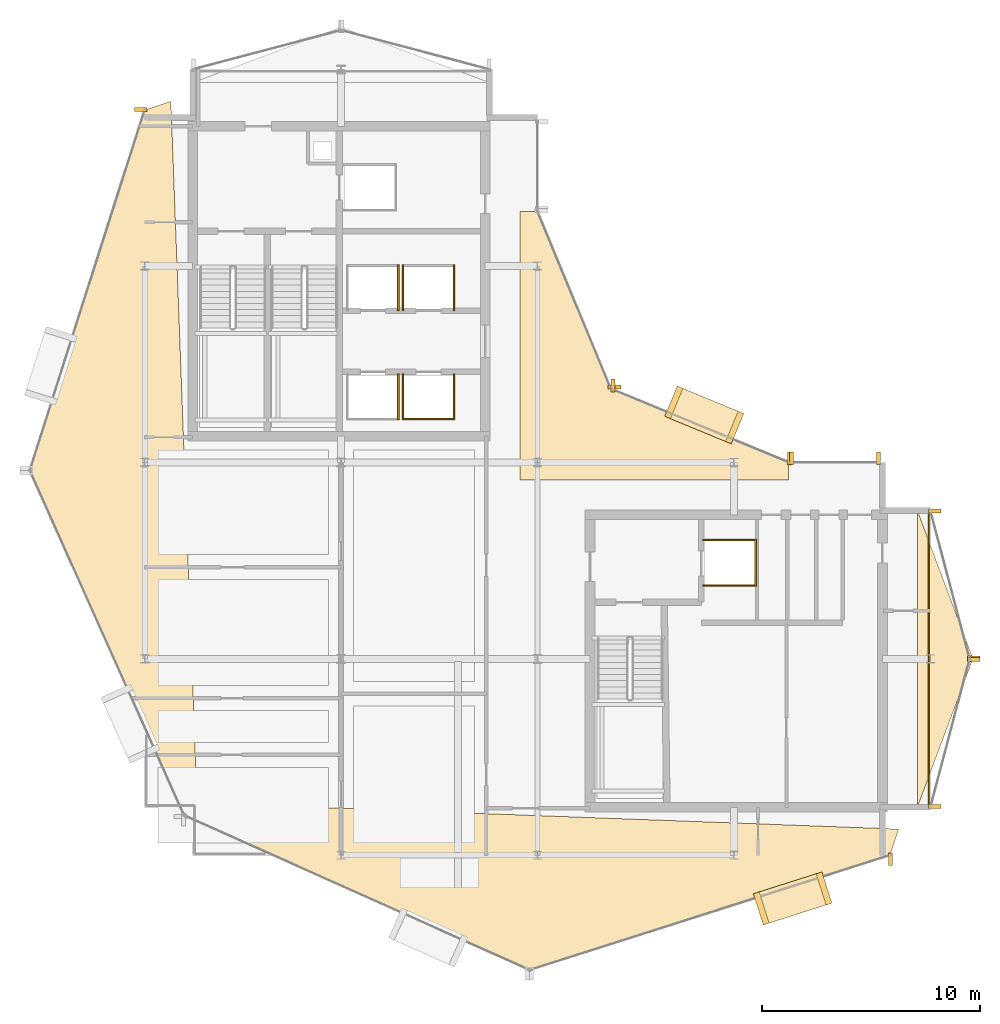
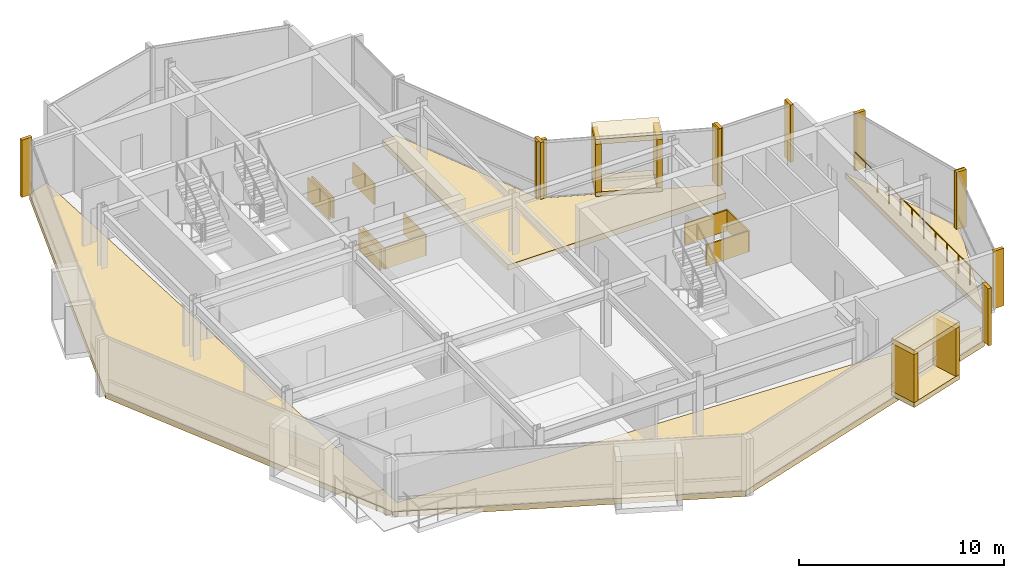
# One storey, part 18 of 19: 32 coverings, 1 railing.
"""IFC4 building model written with IfcOpenShell, lengths in metres."""

from ifc_helpers import new_model, si_unit, direction, frame, origin, origin_2d, place, context, subcontext, project, spatial, polyline, rectangle, circle, outline, extrude, material, layer, layer_set, type_object, element, save


model = new_model("IFC4")

# Units and contexts
model_context = context("Model", 3, precision=1e-05, world=origin(), true_north=direction((0.0, 1.0)))
body_context = subcontext(model_context, "Body", "Model", "MODEL_VIEW")
ifc_project = project(units=[si_unit("LENGTHUNIT", "METRE"), si_unit("AREAUNIT", "SQUARE_METRE"), si_unit("VOLUMEUNIT", "CUBIC_METRE"), si_unit("PLANEANGLEUNIT", "RADIAN"), si_unit("MASSUNIT", "GRAM", prefix="KILO")], contexts=[model_context])

# Site, building, storey
site_placement = place(None, origin())
site = spatial("IfcSite", under=ifc_project, at=site_placement, CompositionType="ELEMENT")
building_placement = place(site_placement, origin())
building = spatial("IfcBuilding", under=site, at=building_placement, Name="Solvaryn Broadcast Tower", CompositionType="ELEMENT")
storey_placement = place(building_placement, frame((0.0, 0.0, 244.5)))
storey = spatial("IfcBuildingStorey", under=building, at=storey_placement, Name="L61", CompositionType="ELEMENT", Elevation=244.5)

# Coverings
ifc_material_1 = material(Name="Fire-Rated Gypsum Shaftwall Liner", Category="concrete")
ifc_layer_1 = layer(ifc_material_1, 0.080078125)
ifc_layer_set_1 = layer_set([ifc_layer_1], Name="CV-SHAFT-LINER")
covering_type_1 = type_object("IfcCoveringType", Name="CV-SHAFT-LINER", PredefinedType="CLADDING", material=ifc_layer_set_1)
covering_1_placement = place(storey_placement, frame((20.614990234375, 30.0, 0.0), z_axis=(0.0, 0.0, 1.0), x_axis=(1.0, 0.0, 0.0)))
element("IfcCovering", 1, at=covering_1_placement, inside=storey, type_object=covering_type_1, Name="L61 PH1 Hoistway Shaft Liner East", PredefinedType="CLADDING", context=body_context, shape_type="SweptSolid", body=[
    extrude(rectangle(XDim=0.080078125, YDim=2.110107421875, at=origin_2d()), origin(), (0.0, 0.0, 1.0), 1.25),
])
covering_2_placement = place(storey_placement, frame((22.0, 28.985107421875, 0.0), z_axis=(0.0, 0.0, 1.0), x_axis=(1.0, 0.0, 0.0)))
element("IfcCovering", 2, at=covering_2_placement, inside=storey, type_object=covering_type_1, Name="L61 PH2 Hoistway Shaft Liner South", PredefinedType="CLADDING", context=body_context, shape_type="SweptSolid", body=[
    extrude(rectangle(XDim=2.409912109375, YDim=0.080078125, at=origin_2d()), origin(), (0.0, 0.0, 1.0), 1.25),
])
for number, where, z_axis, x_axis, name in (
    (3, (23.1650390625, 30.0, 0.0), (0.0, 0.0, 1.0), (1.0, 0.0, 0.0), "L61 PH2 Hoistway Shaft Liner East"),
    (4, (20.8349609375, 30.0, 0.0), (0.0, 0.0, 1.0), (1.0, 0.0, 0.0), "L61 PH2 Hoistway Shaft Liner West"),
    (5, (20.614990234375, 35.0, 0.0), (0.0, 0.0, 1.0), (1.0, 0.0, 0.0), "L61 PH3 Hoistway Shaft Liner East"),
    (6, (23.1650390625, 35.0, 0.0), (0.0, 0.0, 1.0), (1.0, 0.0, 0.0), "L61 PH4 Hoistway Shaft Liner East"),
    (7, (20.8349609375, 35.0, 0.0), (0.0, 0.0, 1.0), (1.0, 0.0, 0.0), "L61 PH4 Hoistway Shaft Liner West"),
):
    element("IfcCovering", number, at=place(storey_placement, frame(where, z_axis=z_axis, x_axis=x_axis)), inside=storey, type_object=covering_type_1, Name=name, PredefinedType="CLADDING", context=body_context, shape_type="SweptSolid", body=[
        extrude(rectangle(XDim=0.080078125, YDim=2.110107421875, at=origin_2d()), origin(), (0.0, 0.0, 1.0), 1.25),
    ])
for number, where, z_axis, x_axis, name in (
    (8, (35.800048828125, 23.43994140625, 0.0), (0.0, 0.0, 1.0), (1.0, 0.0, 0.0), "L61 FL2 Hoistway Shaft Liner North"),
    (9, (35.800048828125, 21.360107421875, 0.0), (0.0, 0.0, 1.0), (1.0, 0.0, 0.0), "L61 FL2 Hoistway Shaft Liner South"),
):
    element("IfcCovering", number, at=place(storey_placement, frame(where, z_axis=z_axis, x_axis=x_axis)), inside=storey, type_object=covering_type_1, Name=name, PredefinedType="CLADDING", context=body_context, shape_type="SweptSolid", body=[
        extrude(rectangle(XDim=2.4599609375, YDim=0.080078125, at=origin_2d()), origin(), (0.0, 0.0, 1.0), 1.25),
    ])
covering_3_placement = place(storey_placement, frame((36.989990234375, 22.39990234375, 0.0), z_axis=(0.0, 0.0, 1.0), x_axis=(1.0, 0.0, 0.0)))
element("IfcCovering", 10, at=covering_3_placement, inside=storey, type_object=covering_type_1, Name="L61 FL2 Hoistway Shaft Liner East", PredefinedType="CLADDING", context=body_context, shape_type="SweptSolid", body=[
    extrude(rectangle(XDim=0.080078125, YDim=2.159912109375, at=origin_2d()), origin(), (0.0, 0.0, 1.0), 1.25),
])
ifc_material_2 = material(Name="Glazed Architectural Terracotta Rainscreen Cladding", Category="masonry")
ifc_layer_2 = layer(ifc_material_2, 0.280029296875)
ifc_layer_set_2 = layer_set([ifc_layer_2], Name="CV-TC-CLAD")
covering_type_2 = type_object("IfcCoveringType", Name="CV-TC-CLAD", PredefinedType="CLADDING", material=ifc_layer_set_2)
for number, where, z_axis, x_axis, name in (
    (11, (38.68603515625, 7.02197265625, 3.1298828125), (0.0, 0.0, 1.0), (0.952820541996, 0.303534206887, 0.0), "L61 Projecting Stone Window Box Hood 4"),
    (12, (38.68603515625, 7.02197265625, -0.01025390625), (0.0, 0.0, 1.0), (0.952820541996, 0.303534206887, 0.0), "L61 Projecting Stone Window Box Sill 4"),
):
    element("IfcCovering", number, at=place(storey_placement, frame(where, z_axis=z_axis, x_axis=x_axis)), inside=storey, type_object=covering_type_2, Name=name, PredefinedType="CLADDING", context=body_context, shape_type="SweptSolid", body=[
        extrude(rectangle(XDim=3.300048828125, YDim=1.5, at=origin_2d()), origin(), (0.0, 0.0, 1.0), 0.300048828125),
    ])
for number, where, z_axis, x_axis, name in (
    (13, (37.247314453125, 6.563720703125, 0.27978515625), (0.0, 0.0, 1.0), (0.952820541996, 0.303534206887, 0.0), "L61 Projecting Stone Window Box Cheek 4-1"),
    (14, (40.124755859375, 7.480224609375, 0.27978515625), (0.0, 0.0, 1.0), (0.952820541996, 0.303534206887, 0.0), "L61 Projecting Stone Window Box Cheek 4-2"),
):
    element("IfcCovering", number, at=place(storey_placement, frame(where, z_axis=z_axis, x_axis=x_axis)), inside=storey, type_object=covering_type_2, Name=name, PredefinedType="CLADDING", context=body_context, shape_type="SweptSolid", body=[
        extrude(rectangle(XDim=0.280029296875, YDim=1.5, at=origin_2d()), origin(), (0.0, 0.0, 1.0), 2.860107421875),
    ])
for number, where, z_axis, x_axis, name in (
    (15, (34.636962890625, 29.174072265625, 3.1298828125), (0.0, 0.0, 1.0), (-0.923879532511, 0.382683432365, 0.0), "L61 Projecting Stone Window Box Hood 5"),
    (16, (34.636962890625, 29.174072265625, -0.01025390625), (0.0, 0.0, 1.0), (-0.923879532511, 0.382683432365, 0.0), "L61 Projecting Stone Window Box Sill 5"),
):
    element("IfcCovering", number, at=place(storey_placement, frame(where, z_axis=z_axis, x_axis=x_axis)), inside=storey, type_object=covering_type_2, Name=name, PredefinedType="CLADDING", context=body_context, shape_type="SweptSolid", body=[
        extrude(rectangle(XDim=3.300048828125, YDim=1.5, at=origin_2d()), origin(), (0.0, 0.0, 1.0), 0.300048828125),
    ])
for number, where, z_axis, x_axis, name in (
    (17, (36.031982421875, 28.59619140625, 0.27978515625), (0.0, 0.0, 1.0), (-0.923879532511, 0.382683432365, 0.0), "L61 Projecting Stone Window Box Cheek 5-1"),
    (18, (33.241943359375, 29.751953125, 0.27978515625), (0.0, 0.0, 1.0), (-0.923879532511, 0.382683432365, 0.0), "L61 Projecting Stone Window Box Cheek 5-2"),
):
    element("IfcCovering", number, at=place(storey_placement, frame(where, z_axis=z_axis, x_axis=x_axis)), inside=storey, type_object=covering_type_2, Name=name, PredefinedType="CLADDING", context=body_context, shape_type="SweptSolid", body=[
        extrude(rectangle(XDim=0.280029296875, YDim=1.5, at=origin_2d()), origin(), (0.0, 0.0, 1.0), 2.860107421875),
    ])
ifc_material_3 = material(Name="Extruded Architectural Terracotta Fin", Category="masonry")
ifc_layer_3 = layer(ifc_material_3, 0.179931640625)
ifc_layer_set_3 = layer_set([ifc_layer_3], Name="CV-TC-FIN")
covering_type_3 = type_object("IfcCoveringType", Name="CV-TC-FIN", PredefinedType="USERDEFINED", material=ifc_layer_set_3)
covering_4_placement = place(storey_placement, frame((8.819091796875, 43.17529296875, 0.0), z_axis=(0.0, 0.0, 1.0), x_axis=(1.0, 0.0, 0.0)))
element("IfcCovering", 19, at=covering_4_placement, inside=storey, type_object=covering_type_3, Name="L61 Terracotta Vertical Fin FIN-L61-DR1-M00", ObjectType="FIN", PredefinedType="USERDEFINED", context=body_context, shape_type="SweptSolid", body=[
    extrude(rectangle(XDim=0.580078125, YDim=0.179931640625, at=origin_2d()), origin(), (0.0, 0.0, 1.0), 3.419921875),
])
for number, where, z_axis, x_axis, name in (
    (20, (43.17529296875, 8.819091796875, 0.0), (0.0, 0.0, 1.0), (1.0, 0.0, 0.0), "L61 Terracotta Vertical Fin FIN-L61-DR4-M01"),
    (21, (38.541259765625, 27.177978515625, 0.0), (0.0, 0.0, 1.0), (1.0, 0.0, 0.0), "L61 Terracotta Vertical Fin FIN-L61-CN1-M00"),
    (22, (30.464599609375, 30.52294921875, 0.0), (0.0, 0.0, 1.0), (1.0, 0.0, 0.0), "L61 Terracotta Vertical Fin FIN-L61-CN1-M01"),
):
    element("IfcCovering", number, at=place(storey_placement, frame(where, z_axis=z_axis, x_axis=x_axis)), inside=storey, type_object=covering_type_3, Name=name, ObjectType="FIN", PredefinedType="USERDEFINED", context=body_context, shape_type="SweptSolid", body=[
        extrude(rectangle(XDim=0.179931640625, YDim=0.580078125, at=origin_2d()), origin(), (0.0, 0.0, 1.0), 3.419921875),
    ])
for number, where, z_axis, x_axis, name in (
    (23, (30.52294921875, 30.464599609375, 0.0), (0.0, 0.0, 1.0), (1.0, 0.0, 0.0), "L61 Terracotta Vertical Fin FIN-L61-CN2-M00"),
    (24, (45.1953125, 24.77099609375, 0.0), (0.0, 0.0, 1.0), (1.0, 0.0, 0.0), "L61 Terracotta Vertical Fin FIN-L61-ET1-M00"),
    (25, (46.979736328125, 18.029052734375, 0.0), (0.0, 0.0, 1.0), (1.0, 0.0, 0.0), "L61 Terracotta Vertical Fin FIN-L61-ET1-M01"),
    (26, (46.979736328125, 17.970947265625, 0.0), (0.0, 0.0, 1.0), (1.0, 0.0, 0.0), "L61 Terracotta Vertical Fin FIN-L61-ET2-M00"),
    (27, (45.1953125, 11.22900390625, 0.0), (0.0, 0.0, 1.0), (1.0, 0.0, 0.0), "L61 Terracotta Vertical Fin FIN-L61-ET2-M01"),
):
    element("IfcCovering", number, at=place(storey_placement, frame(where, z_axis=z_axis, x_axis=x_axis)), inside=storey, type_object=covering_type_3, Name=name, ObjectType="FIN", PredefinedType="USERDEFINED", context=body_context, shape_type="SweptSolid", body=[
        extrude(rectangle(XDim=0.580078125, YDim=0.179931640625, at=origin_2d()), origin(), (0.0, 0.0, 1.0), 3.419921875),
    ])
for number, where, z_axis, x_axis, name in (
    (28, (38.6298828125, 27.1875, 0.0), (0.0, 0.0, 1.0), (1.0, 0.0, 0.0), "L61 Terracotta Vertical Fin FIN-L61-IH-M00"),
    (29, (42.6201171875, 27.1875, 0.0), (0.0, 0.0, 1.0), (1.0, 0.0, 0.0), "L61 Terracotta Vertical Fin FIN-L61-IH-M01"),
):
    element("IfcCovering", number, at=place(storey_placement, frame(where, z_axis=z_axis, x_axis=x_axis)), inside=storey, type_object=covering_type_3, Name=name, ObjectType="FIN", PredefinedType="USERDEFINED", context=body_context, shape_type="SweptSolid", body=[
        extrude(rectangle(XDim=0.179931640625, YDim=0.580078125, at=origin_2d()), origin(), (0.0, 0.0, 1.0), 3.419921875),
    ])
ifc_material_4 = material(Name="Sculpted Architectural Terracotta Wave Fascia", Category="masonry")
ifc_layer_4 = layer(ifc_material_4, 0.340087890625)
ifc_layer_set_4 = layer_set([ifc_layer_4], Name="CV-WAVE-TRAY")
covering_type_4 = type_object("IfcCoveringType", Name="CV-WAVE-TRAY", PredefinedType="CLADDING", material=ifc_layer_set_4)
covering_5_placement = place(storey_placement, frame((0.0, 0.0, -0.300048828125)))
element("IfcCovering", 30, at=covering_5_placement, inside=storey, type_object=covering_type_4, Name="L61 Stepped Cylindrical Drum Floor Apron", PredefinedType="CLADDING", context=body_context, shape_type="SweptSolid", body=[
    extrude(outline(polyline([(10.199951171875, 43.549072265625), (9.0, 43.14892578125), (3.738037109375, 26.635986328125), (10.81689453125, 10.81689453125), (26.635986328125, 3.738037109375), (43.14892578125, 9.0), (43.14892578125, 9.0), (43.549072265625, 10.199951171875), (11.39990234375, 11.39990234375), (10.199951171875, 43.549072265625)])), origin(), (0.0, 0.0, 1.0), 0.330078125),
])
covering_6_placement = place(storey_placement, frame((0.0, 0.0, -0.300048828125)))
element("IfcCovering", 31, at=covering_6_placement, inside=storey, type_object=covering_type_4, Name="L61 Concave Canyon Floor Apron", PredefinedType="CLADDING", context=body_context, shape_type="SweptSolid", body=[
    extrude(outline(polyline([(26.199951171875, 26.199951171875), (38.5, 26.199951171875), (38.5, 27.0), (30.367919921875, 30.367919921875), (27.0, 38.5), (26.199951171875, 38.5), (26.199951171875, 26.199951171875)])), origin(), (0.0, 0.0, 1.0), 0.330078125),
])
covering_7_placement = place(storey_placement, frame((0.0, 0.0, -0.300048828125)))
element("IfcCovering", 32, at=covering_7_placement, inside=storey, type_object=covering_type_4, Name="L61 East Curved Wing Deck", PredefinedType="CLADDING", context=body_context, shape_type="SweptSolid", body=[
    extrude(outline(polyline([(44.39990234375, 11.199951171875), (46.949951171875, 18.0), (44.39990234375, 24.800048828125), (44.39990234375, 11.199951171875)])), origin(), (0.0, 0.0, 1.0), 0.330078125),
])

# Railing
ifc_material_5 = material(Name="Stainless Steel and Laminated Glass Guard", Category="steel")
railing_type = type_object("IfcRailingType", Name="RL-TER-1150", PredefinedType="BALUSTRADE", material=ifc_material_5)
railing_placement = place(storey_placement, frame((44.919921875, 11.199951171875, 0.0)))
element("IfcRailing", 33, at=railing_placement, inside=storey, type_object=railing_type, Name="L61 East Wing Spandrel Edge Guard", PredefinedType="BALUSTRADE", context=body_context, shape_type="SweptSolid", body=[
    extrude(circle(Radius=0.02392578125, at=origin_2d()), frame((0.0, 0.0, 1.1259765625), z_axis=(0.0, 1.0, 0.0), x_axis=(-1.0, 0.0, 0.0)), (0.0, 0.0, 1.0), 13.60009765625),
    extrude(circle(Radius=0.02099609375, at=origin_2d()), origin(), (0.0, 0.0, 1.0), 1.101806640625),
    extrude(circle(Radius=0.02099609375, at=origin_2d()), frame((0.0, 1.13330078125, 0.0)), (0.0, 0.0, 1.0), 1.101806640625),
    extrude(circle(Radius=0.02099609375, at=origin_2d()), frame((0.0, 2.2666015625, 0.0)), (0.0, 0.0, 1.0), 1.101806640625),
    extrude(circle(Radius=0.02099609375, at=origin_2d()), frame((0.0, 3.39990234375, 0.0)), (0.0, 0.0, 1.0), 1.101806640625),
    extrude(circle(Radius=0.02099609375, at=origin_2d()), frame((0.0, 4.533447265625, 0.0)), (0.0, 0.0, 1.0), 1.101806640625),
    extrude(circle(Radius=0.02099609375, at=origin_2d()), frame((0.0, 5.666748046875, 0.0)), (0.0, 0.0, 1.0), 1.101806640625),
    extrude(circle(Radius=0.02099609375, at=origin_2d()), frame((0.0, 6.800048828125, 0.0)), (0.0, 0.0, 1.0), 1.101806640625),
    extrude(circle(Radius=0.02099609375, at=origin_2d()), frame((0.0, 7.933349609375, 0.0)), (0.0, 0.0, 1.0), 1.101806640625),
    extrude(circle(Radius=0.02099609375, at=origin_2d()), frame((0.0, 9.066650390625, 0.0)), (0.0, 0.0, 1.0), 1.101806640625),
    extrude(circle(Radius=0.02099609375, at=origin_2d()), frame((0.0, 10.2001953125, 0.0)), (0.0, 0.0, 1.0), 1.101806640625),
    extrude(circle(Radius=0.02099609375, at=origin_2d()), frame((0.0, 11.33349609375, 0.0)), (0.0, 0.0, 1.0), 1.101806640625),
    extrude(circle(Radius=0.02099609375, at=origin_2d()), frame((0.0, 12.466796875, 0.0)), (0.0, 0.0, 1.0), 1.101806640625),
    extrude(circle(Radius=0.02099609375, at=origin_2d()), frame((0.0, 13.60009765625, 0.0)), (0.0, 0.0, 1.0), 1.101806640625),
])

save(model, "model.ifc")
